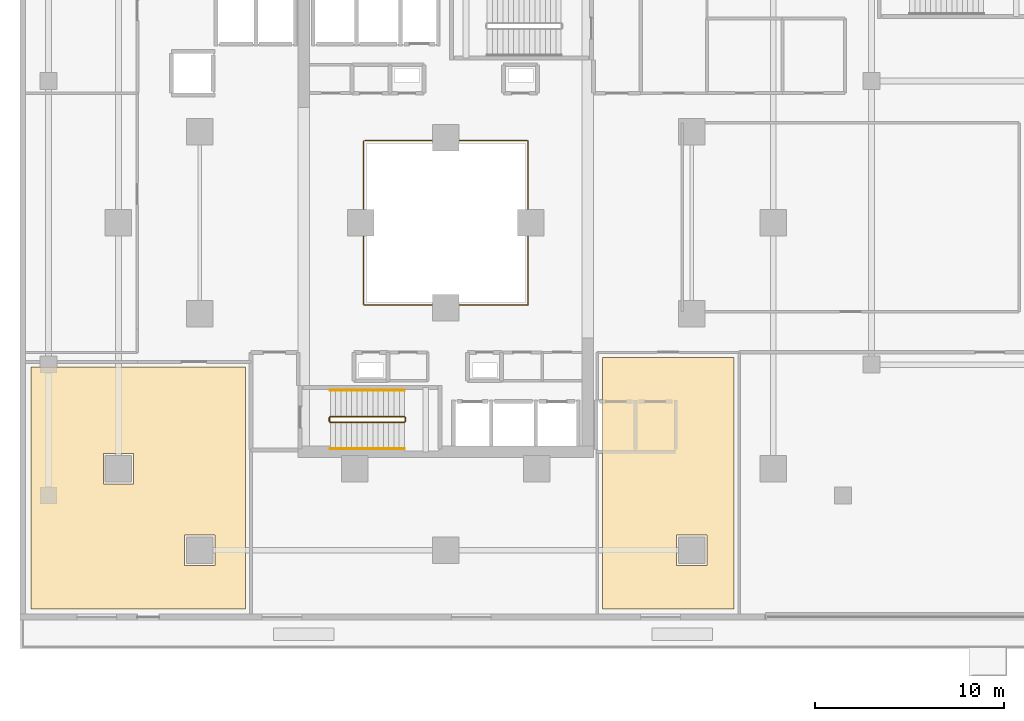
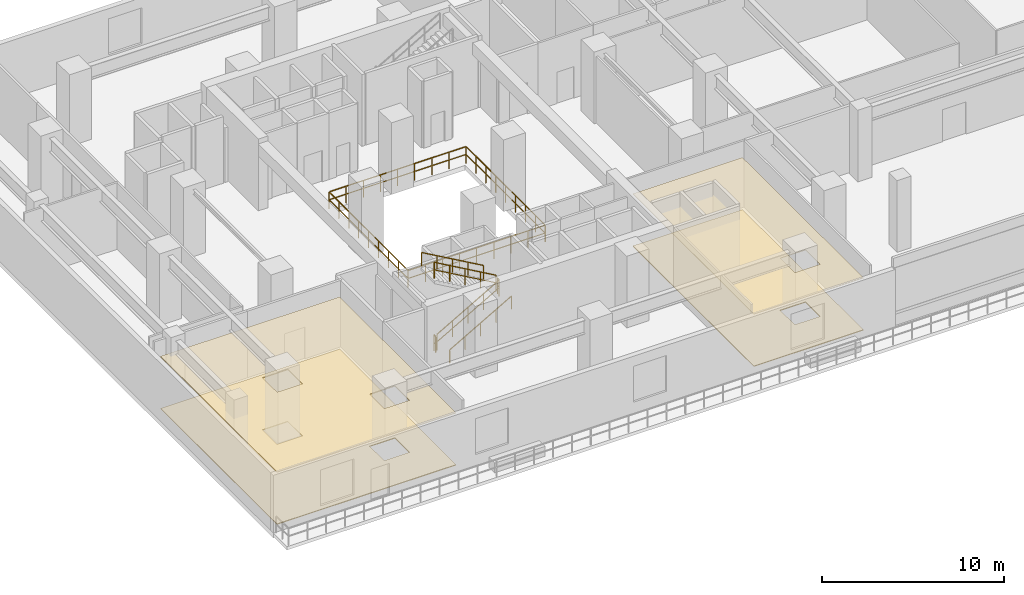
# One storey, part 18 of 22: 7 railings, 4 coverings.
"""IFC4 building model written with IfcOpenShell, lengths in metres."""

from ifc_helpers import new_model, si_unit, direction, frame, origin, origin_2d, place, context, subcontext, project, spatial, polyline, rectangle, outline, extrude, material, layer, layer_set, type_object, element, save


model = new_model("IFC4")

# Units and contexts
model_context = context("Model", 3, precision=1e-05, world=origin(), true_north=direction((0.0, 1.0)))
body_context = subcontext(model_context, "Body", "Model", "MODEL_VIEW")
ifc_project = project(units=[si_unit("LENGTHUNIT", "METRE"), si_unit("AREAUNIT", "SQUARE_METRE"), si_unit("VOLUMEUNIT", "CUBIC_METRE"), si_unit("PLANEANGLEUNIT", "RADIAN"), si_unit("MASSUNIT", "GRAM", prefix="KILO")], contexts=[model_context])

# Site, building, storey
site_placement = place(None, origin())
site = spatial("IfcSite", under=ifc_project, at=site_placement, CompositionType="ELEMENT")
building_placement = place(site_placement, origin())
building = spatial("IfcBuilding", under=site, at=building_placement, Name="Thornwick Lancets Civic Towers", CompositionType="ELEMENT")
storey_placement = place(building_placement, frame((0.0, 0.0, 4.800048828125)))
storey = spatial("IfcBuildingStorey", under=building, at=storey_placement, Name="L01", CompositionType="ELEMENT", Elevation=4.800048828125)

# Coverings
ifc_material_1 = material(Name="Perforated mineral acoustic ceiling tile")
ifc_layer_1 = layer(ifc_material_1, 0.0400390625, Name="Perforated mineral acoustic ceiling tile")
ifc_layer_set_1 = layer_set([ifc_layer_1], Name="Perforated mineral acoustic ceiling tile")
covering_type_1 = type_object("IfcCoveringType", Name="COV_CEIL_ACOUSTIC", PredefinedType="CEILING", material=ifc_layer_set_1)
covering_1_placement = place(storey_placement, frame((0.0, 0.0, 3.498291015625)))
element("IfcCovering", 1, at=covering_1_placement, inside=storey, type_object=covering_type_1, Name="Public Debating Gallery Reception Ceiling", PredefinedType="CEILING", context=body_context, shape_type="SweptSolid", body=[
    extrude(outline(polyline([(40.719970703125, 6.60009765625), (33.780029296875, 6.60009765625), (33.780029296875, 19.8701171875), (40.719970703125, 19.8701171875), (40.719970703125, 6.60009765625)]), holes=[polyline([(37.699951171875, 8.89990234375), (39.300048828125, 8.89990234375), (39.300048828125, 10.5), (37.699951171875, 10.5), (37.699951171875, 8.89990234375)])]), origin(), (0.0, 0.0, 1.0), 0.0400390625),
])
ifc_material_2 = material(Name="Slatted European oak acoustic ceiling")
ifc_layer_2 = layer(ifc_material_2, 0.06005859375, Name="Slatted European oak acoustic ceiling")
ifc_layer_set_2 = layer_set([ifc_layer_2], Name="Slatted European oak acoustic ceiling")
covering_type_2 = type_object("IfcCoveringType", Name="COV_CEIL_TIMBER", PredefinedType="CEILING", material=ifc_layer_set_2)
covering_2_placement = place(storey_placement, frame((0.0, 0.0, 3.478271484375)))
element("IfcCovering", 2, at=covering_2_placement, inside=storey, type_object=covering_type_2, Name="Standing Committee Room 1 Ceiling", PredefinedType="CEILING", context=body_context, shape_type="SweptSolid", body=[
    extrude(outline(polyline([(14.919921875, 6.60009765625), (3.580078125, 6.60009765625), (3.580078125, 19.3701171875), (14.919921875, 19.3701171875), (14.919921875, 6.60009765625)]), holes=[polyline([(11.699951171875, 8.89990234375), (13.300048828125, 8.89990234375), (13.300048828125, 10.5), (11.699951171875, 10.5), (11.699951171875, 8.89990234375)]), polyline([(7.39990234375, 13.199951171875), (9.0, 13.199951171875), (9.0, 14.800048828125), (7.39990234375, 14.800048828125), (7.39990234375, 13.199951171875)])]), origin(), (0.0, 0.0, 1.0), 0.06005859375),
])
ifc_material_3 = material(Name="Calcium-sulfate raised access floor panel")
ifc_layer_3 = layer(ifc_material_3, 0.050048828125, Name="Calcium-sulfate raised access floor panel")
ifc_layer_set_3 = layer_set([ifc_layer_3], Name="Calcium-sulfate raised access floor panel")
covering_type_3 = type_object("IfcCoveringType", Name="COV_FLOOR_RAISED", PredefinedType="FLOORING", material=ifc_layer_set_3)
covering_3_placement = place(storey_placement, origin())
element("IfcCovering", 3, at=covering_3_placement, inside=storey, type_object=covering_type_3, Name="Standing Committee Room 1 Raised Access Flooring", PredefinedType="FLOORING", context=body_context, shape_type="SweptSolid", body=[
    extrude(outline(polyline([(14.919921875, 6.60009765625), (3.580078125, 6.60009765625), (3.580078125, 19.3701171875), (14.919921875, 19.3701171875), (14.919921875, 6.60009765625)]), holes=[polyline([(11.699951171875, 8.89990234375), (13.300048828125, 8.89990234375), (13.300048828125, 10.5), (11.699951171875, 10.5), (11.699951171875, 8.89990234375)]), polyline([(7.39990234375, 13.199951171875), (9.0, 13.199951171875), (9.0, 14.800048828125), (7.39990234375, 14.800048828125), (7.39990234375, 13.199951171875)])]), origin(), (0.0, 0.0, 1.0), 0.050048828125),
])
covering_4_placement = place(storey_placement, origin())
element("IfcCovering", 4, at=covering_4_placement, inside=storey, type_object=covering_type_3, Name="Public Debating Gallery Reception Raised Access Flooring", PredefinedType="FLOORING", context=body_context, shape_type="SweptSolid", body=[
    extrude(outline(polyline([(40.719970703125, 6.60009765625), (33.780029296875, 6.60009765625), (33.780029296875, 19.8701171875), (40.719970703125, 19.8701171875), (40.719970703125, 6.60009765625)]), holes=[polyline([(37.699951171875, 8.89990234375), (39.300048828125, 8.89990234375), (39.300048828125, 10.5), (37.699951171875, 10.5), (37.699951171875, 8.89990234375)])]), origin(), (0.0, 0.0, 1.0), 0.050048828125),
])

# Railings
ifc_material_4 = material(Name="Laminated glass and bronze steel S355", Category="steel")
railing_type_1 = type_object("IfcRailingType", Name="RAIL_ATRIUM_GUARD", PredefinedType="BALUSTRADE", material=ifc_material_4)
railing_1_placement = place(storey_placement, frame((21.159912109375, 22.659912109375, 0.0)))
element("IfcRailing", 5, at=railing_1_placement, inside=storey, type_object=railing_type_1, Name="L01 Tower A Central Atrium Guard Balustrade", PredefinedType="BALUSTRADE", context=body_context, shape_type="SweptSolid", body=[
    extrude(rectangle(XDim=0.048095703125, YDim=0.048095703125, at=origin_2d()), frame((0.0, 0.0, 1.1259765625), z_axis=(1.0, 0.0, 0.0), x_axis=(0.0, 1.0, 0.0)), (0.0, 0.0, 1.0), 8.64892578125),
    extrude(rectangle(XDim=0.0419921875, YDim=0.0419921875, at=origin_2d()), frame((0.03759765625, 0.0, 0.597900390625), z_axis=(1.0, 0.0, 0.0), x_axis=(0.0, 1.0, 0.0)), (0.0, 0.0, 1.0), 1.010009765625),
    extrude(rectangle(XDim=0.0419921875, YDim=0.0419921875, at=origin_2d()), frame((1.12255859375, 0.0, 0.597900390625), z_axis=(1.0, 0.0, 0.0), x_axis=(0.0, 1.0, 0.0)), (0.0, 0.0, 1.0), 1.010009765625),
    extrude(rectangle(XDim=0.0419921875, YDim=0.0419921875, at=origin_2d()), frame((2.20751953125, 0.0, 0.597900390625), z_axis=(1.0, 0.0, 0.0), x_axis=(0.0, 1.0, 0.0)), (0.0, 0.0, 1.0), 1.010009765625),
    extrude(rectangle(XDim=0.0419921875, YDim=0.0419921875, at=origin_2d()), frame((3.29248046875, 0.0, 0.597900390625), z_axis=(1.0, 0.0, 0.0), x_axis=(0.0, 1.0, 0.0)), (0.0, 0.0, 1.0), 1.010009765625),
    extrude(rectangle(XDim=0.0419921875, YDim=0.0419921875, at=origin_2d()), frame((4.377685546875, 0.0, 0.597900390625), z_axis=(1.0, 0.0, 0.0), x_axis=(0.0, 1.0, 0.0)), (0.0, 0.0, 1.0), 1.010009765625),
    extrude(rectangle(XDim=0.0419921875, YDim=0.0419921875, at=origin_2d()), frame((5.462646484375, 0.0, 0.597900390625), z_axis=(1.0, 0.0, 0.0), x_axis=(0.0, 1.0, 0.0)), (0.0, 0.0, 1.0), 1.010009765625),
    extrude(rectangle(XDim=0.0419921875, YDim=0.0419921875, at=origin_2d()), frame((6.547607421875, 0.0, 0.597900390625), z_axis=(1.0, 0.0, 0.0), x_axis=(0.0, 1.0, 0.0)), (0.0, 0.0, 1.0), 1.010009765625),
    extrude(rectangle(XDim=0.0419921875, YDim=0.0419921875, at=origin_2d()), frame((7.632568359375, 0.0, 0.597900390625), z_axis=(1.0, 0.0, 0.0), x_axis=(0.0, 1.0, 0.0)), (0.0, 0.0, 1.0), 1.010009765625),
    extrude(rectangle(XDim=0.048095703125, YDim=0.048095703125, at=origin_2d()), frame((8.68017578125, 0.03125, 1.1259765625), z_axis=(0.0, 1.0, 0.0), x_axis=(-1.0, 0.0, 0.0)), (0.0, 0.0, 1.0), 8.61767578125),
    extrude(rectangle(XDim=0.0419921875, YDim=0.0419921875, at=origin_2d()), frame((8.68017578125, 0.03759765625, 0.597900390625), z_axis=(0.0, 1.0, 0.0), x_axis=(-1.0, 0.0, 0.0)), (0.0, 0.0, 1.0), 1.010009765625),
    extrude(rectangle(XDim=0.0419921875, YDim=0.0419921875, at=origin_2d()), frame((8.68017578125, 1.12255859375, 0.597900390625), z_axis=(0.0, 1.0, 0.0), x_axis=(-1.0, 0.0, 0.0)), (0.0, 0.0, 1.0), 1.010009765625),
    extrude(rectangle(XDim=0.0419921875, YDim=0.0419921875, at=origin_2d()), frame((8.68017578125, 2.20751953125, 0.597900390625), z_axis=(0.0, 1.0, 0.0), x_axis=(-1.0, 0.0, 0.0)), (0.0, 0.0, 1.0), 1.010009765625),
    extrude(rectangle(XDim=0.0419921875, YDim=0.0419921875, at=origin_2d()), frame((8.68017578125, 3.29248046875, 0.597900390625), z_axis=(0.0, 1.0, 0.0), x_axis=(-1.0, 0.0, 0.0)), (0.0, 0.0, 1.0), 1.010009765625),
    extrude(rectangle(XDim=0.0419921875, YDim=0.0419921875, at=origin_2d()), frame((8.68017578125, 4.377685546875, 0.597900390625), z_axis=(0.0, 1.0, 0.0), x_axis=(-1.0, 0.0, 0.0)), (0.0, 0.0, 1.0), 1.010009765625),
    extrude(rectangle(XDim=0.0419921875, YDim=0.0419921875, at=origin_2d()), frame((8.68017578125, 5.462646484375, 0.597900390625), z_axis=(0.0, 1.0, 0.0), x_axis=(-1.0, 0.0, 0.0)), (0.0, 0.0, 1.0), 1.010009765625),
    extrude(rectangle(XDim=0.0419921875, YDim=0.0419921875, at=origin_2d()), frame((8.68017578125, 6.547607421875, 0.597900390625), z_axis=(0.0, 1.0, 0.0), x_axis=(-1.0, 0.0, 0.0)), (0.0, 0.0, 1.0), 1.010009765625),
    extrude(rectangle(XDim=0.0419921875, YDim=0.0419921875, at=origin_2d()), frame((8.68017578125, 7.632568359375, 0.597900390625), z_axis=(0.0, 1.0, 0.0), x_axis=(-1.0, 0.0, 0.0)), (0.0, 0.0, 1.0), 1.010009765625),
    extrude(rectangle(XDim=0.048095703125, YDim=0.048095703125, at=origin_2d()), frame((8.64892578125, 8.68017578125, 1.1259765625), z_axis=(-1.0, 0.0, 0.0), x_axis=(0.0, -1.0, 0.0)), (0.0, 0.0, 1.0), 8.61767578125),
    extrude(rectangle(XDim=0.0419921875, YDim=0.0419921875, at=origin_2d()), frame((8.642578125, 8.68017578125, 0.597900390625), z_axis=(-1.0, 0.0, 0.0), x_axis=(0.0, -1.0, 0.0)), (0.0, 0.0, 1.0), 1.010009765625),
    extrude(rectangle(XDim=0.0419921875, YDim=0.0419921875, at=origin_2d()), frame((7.5576171875, 8.68017578125, 0.597900390625), z_axis=(-1.0, 0.0, 0.0), x_axis=(0.0, -1.0, 0.0)), (0.0, 0.0, 1.0), 1.010009765625),
    extrude(rectangle(XDim=0.0419921875, YDim=0.0419921875, at=origin_2d()), frame((6.47265625, 8.68017578125, 0.597900390625), z_axis=(-1.0, 0.0, 0.0), x_axis=(0.0, -1.0, 0.0)), (0.0, 0.0, 1.0), 1.010009765625),
    extrude(rectangle(XDim=0.0419921875, YDim=0.0419921875, at=origin_2d()), frame((5.3876953125, 8.68017578125, 0.597900390625), z_axis=(-1.0, 0.0, 0.0), x_axis=(0.0, -1.0, 0.0)), (0.0, 0.0, 1.0), 1.010009765625),
    extrude(rectangle(XDim=0.0419921875, YDim=0.0419921875, at=origin_2d()), frame((4.302490234375, 8.68017578125, 0.597900390625), z_axis=(-1.0, 0.0, 0.0), x_axis=(0.0, -1.0, 0.0)), (0.0, 0.0, 1.0), 1.010009765625),
    extrude(rectangle(XDim=0.0419921875, YDim=0.0419921875, at=origin_2d()), frame((3.217529296875, 8.68017578125, 0.597900390625), z_axis=(-1.0, 0.0, 0.0), x_axis=(0.0, -1.0, 0.0)), (0.0, 0.0, 1.0), 1.010009765625),
    extrude(rectangle(XDim=0.0419921875, YDim=0.0419921875, at=origin_2d()), frame((2.132568359375, 8.68017578125, 0.597900390625), z_axis=(-1.0, 0.0, 0.0), x_axis=(0.0, -1.0, 0.0)), (0.0, 0.0, 1.0), 1.010009765625),
    extrude(rectangle(XDim=0.0419921875, YDim=0.0419921875, at=origin_2d()), frame((1.047607421875, 8.68017578125, 0.597900390625), z_axis=(-1.0, 0.0, 0.0), x_axis=(0.0, -1.0, 0.0)), (0.0, 0.0, 1.0), 1.010009765625),
    extrude(rectangle(XDim=0.048095703125, YDim=0.048095703125, at=origin_2d()), frame((0.0, 8.64892578125, 1.1259765625), z_axis=(0.0, -1.0, 0.0), x_axis=(1.0, 0.0, 0.0)), (0.0, 0.0, 1.0), 8.64892578125),
    extrude(rectangle(XDim=0.0419921875, YDim=0.0419921875, at=origin_2d()), frame((0.0, 8.642578125, 0.597900390625), z_axis=(0.0, -1.0, 0.0), x_axis=(1.0, 0.0, 0.0)), (0.0, 0.0, 1.0), 1.010009765625),
    extrude(rectangle(XDim=0.0419921875, YDim=0.0419921875, at=origin_2d()), frame((0.0, 7.5576171875, 0.597900390625), z_axis=(0.0, -1.0, 0.0), x_axis=(1.0, 0.0, 0.0)), (0.0, 0.0, 1.0), 1.010009765625),
    extrude(rectangle(XDim=0.0419921875, YDim=0.0419921875, at=origin_2d()), frame((0.0, 6.47265625, 0.597900390625), z_axis=(0.0, -1.0, 0.0), x_axis=(1.0, 0.0, 0.0)), (0.0, 0.0, 1.0), 1.010009765625),
    extrude(rectangle(XDim=0.0419921875, YDim=0.0419921875, at=origin_2d()), frame((0.0, 5.3876953125, 0.597900390625), z_axis=(0.0, -1.0, 0.0), x_axis=(1.0, 0.0, 0.0)), (0.0, 0.0, 1.0), 1.010009765625),
    extrude(rectangle(XDim=0.0419921875, YDim=0.0419921875, at=origin_2d()), frame((0.0, 4.302490234375, 0.597900390625), z_axis=(0.0, -1.0, 0.0), x_axis=(1.0, 0.0, 0.0)), (0.0, 0.0, 1.0), 1.010009765625),
    extrude(rectangle(XDim=0.0419921875, YDim=0.0419921875, at=origin_2d()), frame((0.0, 3.217529296875, 0.597900390625), z_axis=(0.0, -1.0, 0.0), x_axis=(1.0, 0.0, 0.0)), (0.0, 0.0, 1.0), 1.010009765625),
    extrude(rectangle(XDim=0.0419921875, YDim=0.0419921875, at=origin_2d()), frame((0.0, 2.132568359375, 0.597900390625), z_axis=(0.0, -1.0, 0.0), x_axis=(1.0, 0.0, 0.0)), (0.0, 0.0, 1.0), 1.010009765625),
    extrude(rectangle(XDim=0.0419921875, YDim=0.0419921875, at=origin_2d()), frame((0.0, 1.047607421875, 0.597900390625), z_axis=(0.0, -1.0, 0.0), x_axis=(1.0, 0.0, 0.0)), (0.0, 0.0, 1.0), 1.010009765625),
    extrude(rectangle(XDim=0.0419921875, YDim=0.0419921875, at=origin_2d()), origin(), (0.0, 0.0, 1.0), 1.095703125),
    extrude(rectangle(XDim=0.0419921875, YDim=0.0419921875, at=origin_2d()), frame((1.0849609375, 0.0, 0.0)), (0.0, 0.0, 1.0), 1.095703125),
    extrude(rectangle(XDim=0.0419921875, YDim=0.0419921875, at=origin_2d()), frame((2.169921875, 0.0, 0.0)), (0.0, 0.0, 1.0), 1.095703125),
    extrude(rectangle(XDim=0.0419921875, YDim=0.0419921875, at=origin_2d()), frame((3.255126953125, 0.0, 0.0)), (0.0, 0.0, 1.0), 1.095703125),
    extrude(rectangle(XDim=0.0419921875, YDim=0.0419921875, at=origin_2d()), frame((4.340087890625, 0.0, 0.0)), (0.0, 0.0, 1.0), 1.095703125),
    extrude(rectangle(XDim=0.0419921875, YDim=0.0419921875, at=origin_2d()), frame((5.425048828125, 0.0, 0.0)), (0.0, 0.0, 1.0), 1.095703125),
    extrude(rectangle(XDim=0.0419921875, YDim=0.0419921875, at=origin_2d()), frame((6.51025390625, 0.0, 0.0)), (0.0, 0.0, 1.0), 1.095703125),
    extrude(rectangle(XDim=0.0419921875, YDim=0.0419921875, at=origin_2d()), frame((7.59521484375, 0.0, 0.0)), (0.0, 0.0, 1.0), 1.095703125),
    extrude(rectangle(XDim=0.0419921875, YDim=0.0419921875, at=origin_2d()), frame((8.68017578125, 0.0, 0.0)), (0.0, 0.0, 1.0), 1.095703125),
    extrude(rectangle(XDim=0.0419921875, YDim=0.0419921875, at=origin_2d()), frame((8.68017578125, 1.0849609375, 0.0)), (0.0, 0.0, 1.0), 1.095703125),
    extrude(rectangle(XDim=0.0419921875, YDim=0.0419921875, at=origin_2d()), frame((8.68017578125, 2.169921875, 0.0)), (0.0, 0.0, 1.0), 1.095703125),
    extrude(rectangle(XDim=0.0419921875, YDim=0.0419921875, at=origin_2d()), frame((8.68017578125, 3.255126953125, 0.0)), (0.0, 0.0, 1.0), 1.095703125),
    extrude(rectangle(XDim=0.0419921875, YDim=0.0419921875, at=origin_2d()), frame((8.68017578125, 4.340087890625, 0.0)), (0.0, 0.0, 1.0), 1.095703125),
    extrude(rectangle(XDim=0.0419921875, YDim=0.0419921875, at=origin_2d()), frame((8.68017578125, 5.425048828125, 0.0)), (0.0, 0.0, 1.0), 1.095703125),
    extrude(rectangle(XDim=0.0419921875, YDim=0.0419921875, at=origin_2d()), frame((8.68017578125, 6.51025390625, 0.0)), (0.0, 0.0, 1.0), 1.095703125),
    extrude(rectangle(XDim=0.0419921875, YDim=0.0419921875, at=origin_2d()), frame((8.68017578125, 7.59521484375, 0.0)), (0.0, 0.0, 1.0), 1.095703125),
    extrude(rectangle(XDim=0.0419921875, YDim=0.0419921875, at=origin_2d()), frame((8.68017578125, 8.68017578125, 0.0)), (0.0, 0.0, 1.0), 1.095703125),
    extrude(rectangle(XDim=0.0419921875, YDim=0.0419921875, at=origin_2d()), frame((7.59521484375, 8.68017578125, 0.0)), (0.0, 0.0, 1.0), 1.095703125),
    extrude(rectangle(XDim=0.0419921875, YDim=0.0419921875, at=origin_2d()), frame((6.51025390625, 8.68017578125, 0.0)), (0.0, 0.0, 1.0), 1.095703125),
    extrude(rectangle(XDim=0.0419921875, YDim=0.0419921875, at=origin_2d()), frame((5.425048828125, 8.68017578125, 0.0)), (0.0, 0.0, 1.0), 1.095703125),
    extrude(rectangle(XDim=0.0419921875, YDim=0.0419921875, at=origin_2d()), frame((4.340087890625, 8.68017578125, 0.0)), (0.0, 0.0, 1.0), 1.095703125),
    extrude(rectangle(XDim=0.0419921875, YDim=0.0419921875, at=origin_2d()), frame((3.255126953125, 8.68017578125, 0.0)), (0.0, 0.0, 1.0), 1.095703125),
    extrude(rectangle(XDim=0.0419921875, YDim=0.0419921875, at=origin_2d()), frame((2.169921875, 8.68017578125, 0.0)), (0.0, 0.0, 1.0), 1.095703125),
    extrude(rectangle(XDim=0.0419921875, YDim=0.0419921875, at=origin_2d()), frame((1.0849609375, 8.68017578125, 0.0)), (0.0, 0.0, 1.0), 1.095703125),
    extrude(rectangle(XDim=0.0419921875, YDim=0.0419921875, at=origin_2d()), frame((0.0, 8.68017578125, 0.0)), (0.0, 0.0, 1.0), 1.095703125),
    extrude(rectangle(XDim=0.0419921875, YDim=0.0419921875, at=origin_2d()), frame((0.0, 7.59521484375, 0.0)), (0.0, 0.0, 1.0), 1.095703125),
    extrude(rectangle(XDim=0.0419921875, YDim=0.0419921875, at=origin_2d()), frame((0.0, 6.51025390625, 0.0)), (0.0, 0.0, 1.0), 1.095703125),
    extrude(rectangle(XDim=0.0419921875, YDim=0.0419921875, at=origin_2d()), frame((0.0, 5.425048828125, 0.0)), (0.0, 0.0, 1.0), 1.095703125),
    extrude(rectangle(XDim=0.0419921875, YDim=0.0419921875, at=origin_2d()), frame((0.0, 4.340087890625, 0.0)), (0.0, 0.0, 1.0), 1.095703125),
    extrude(rectangle(XDim=0.0419921875, YDim=0.0419921875, at=origin_2d()), frame((0.0, 3.255126953125, 0.0)), (0.0, 0.0, 1.0), 1.095703125),
    extrude(rectangle(XDim=0.0419921875, YDim=0.0419921875, at=origin_2d()), frame((0.0, 2.169921875, 0.0)), (0.0, 0.0, 1.0), 1.095703125),
    extrude(rectangle(XDim=0.0419921875, YDim=0.0419921875, at=origin_2d()), frame((0.0, 1.0849609375, 0.0)), (0.0, 0.0, 1.0), 1.095703125),
])
ifc_material_5 = material(Name="Brushed stainless steel S355", Category="steel")
railing_type_2 = type_object("IfcRailingType", Name="RAIL_HANDRAIL", PredefinedType="HANDRAIL", material=ifc_material_5)
railing_2_placement = place(storey_placement, frame((19.39990234375, 15.050048828125, 0.159912109375)))
element("IfcRailing", 6, at=railing_2_placement, inside=storey, type_object=railing_type_2, Name="L01 ST-A1 stair handrail 1", PredefinedType="HANDRAIL", context=body_context, shape_type="SweptSolid", body=[
    extrude(rectangle(XDim=0.048095703125, YDim=0.048095703125, at=origin_2d()), frame((0.0, 0.0, 0.8857421875), z_axis=(0.86825312469, 0.0, 0.496121468458), x_axis=(0.0, 1.0, 0.0)), (0.0, 0.0, 1.0), 4.514892578125),
    extrude(rectangle(XDim=0.0419921875, YDim=0.0419921875, at=origin_2d()), origin(), (0.0, 0.0, 1.0), 0.855712890625),
    extrude(rectangle(XDim=0.0419921875, YDim=0.0419921875, at=origin_2d()), frame((0.97998046875, 0.0, 0.56005859375)), (0.0, 0.0, 1.0), 0.855712890625),
    extrude(rectangle(XDim=0.0419921875, YDim=0.0419921875, at=origin_2d()), frame((1.9599609375, 0.0, 1.1201171875)), (0.0, 0.0, 1.0), 0.855712890625),
    extrude(rectangle(XDim=0.0419921875, YDim=0.0419921875, at=origin_2d()), frame((2.940185546875, 0.0, 1.679931640625)), (0.0, 0.0, 1.0), 0.855712890625),
    extrude(rectangle(XDim=0.0419921875, YDim=0.0419921875, at=origin_2d()), frame((3.920166015625, 0.0, 2.239990234375)), (0.0, 0.0, 1.0), 0.855712890625),
])
railing_3_placement = place(storey_placement, frame((23.320068359375, 18.14990234375, 2.56005859375)))
element("IfcRailing", 7, at=railing_3_placement, inside=storey, type_object=railing_type_2, Name="L01 ST-A1 stair handrail 2", PredefinedType="HANDRAIL", context=body_context, shape_type="SweptSolid", body=[
    extrude(rectangle(XDim=0.048095703125, YDim=0.048095703125, at=origin_2d()), frame((0.0, 0.0, 0.8857421875), z_axis=(-0.86825312469, 0.0, 0.496121468458), x_axis=(0.0, -1.0, 0.0)), (0.0, 0.0, 1.0), 4.514892578125),
    extrude(rectangle(XDim=0.0419921875, YDim=0.0419921875, at=origin_2d()), origin(), (0.0, 0.0, 1.0), 0.855712890625),
    extrude(rectangle(XDim=0.0419921875, YDim=0.0419921875, at=origin_2d()), frame((-0.97998046875, 0.0, 0.56005859375)), (0.0, 0.0, 1.0), 0.855712890625),
    extrude(rectangle(XDim=0.0419921875, YDim=0.0419921875, at=origin_2d()), frame((-1.9599609375, 0.0, 1.1201171875)), (0.0, 0.0, 1.0), 0.855712890625),
    extrude(rectangle(XDim=0.0419921875, YDim=0.0419921875, at=origin_2d()), frame((-2.940185546875, 0.0, 1.679931640625)), (0.0, 0.0, 1.0), 0.855712890625),
    extrude(rectangle(XDim=0.0419921875, YDim=0.0419921875, at=origin_2d()), frame((-3.920166015625, 0.0, 2.239990234375)), (0.0, 0.0, 1.0), 0.855712890625),
])
ifc_material_6 = material(Name="Steel S355JR", Category="steel")
railing_type_3 = type_object("IfcRailingType", Name="RAIL_STAIR_GUARD", PredefinedType="GUARDRAIL", material=ifc_material_6)
railing_4_placement = place(storey_placement, frame((19.39990234375, 16.449951171875, 0.159912109375)))
element("IfcRailing", 8, at=railing_4_placement, inside=storey, type_object=railing_type_3, Name="L01 ST-A1 stair guard 1", PredefinedType="GUARDRAIL", context=body_context, shape_type="SweptSolid", body=[
    extrude(rectangle(XDim=0.048095703125, YDim=0.048095703125, at=origin_2d()), frame((0.0, 0.0, 1.076171875), z_axis=(0.86825312469, 0.0, 0.496121468458), x_axis=(0.0, 1.0, 0.0)), (0.0, 0.0, 1.0), 4.514892578125),
    extrude(rectangle(XDim=0.0419921875, YDim=0.0419921875, at=origin_2d()), frame((0.032470703125, 0.0, 0.590576171875), z_axis=(0.86825312469, 0.0, 0.496121468458), x_axis=(0.0, 1.0, 0.0)), (0.0, 0.0, 1.0), 1.0537109375),
    extrude(rectangle(XDim=0.0419921875, YDim=0.0419921875, at=origin_2d()), frame((1.0126953125, 0.0, 1.150634765625), z_axis=(0.86825312469, 0.0, 0.496121468458), x_axis=(0.0, 1.0, 0.0)), (0.0, 0.0, 1.0), 1.0537109375),
    extrude(rectangle(XDim=0.0419921875, YDim=0.0419921875, at=origin_2d()), frame((1.99267578125, 0.0, 1.710693359375), z_axis=(0.86825312469, 0.0, 0.496121468458), x_axis=(0.0, 1.0, 0.0)), (0.0, 0.0, 1.0), 1.0537109375),
    extrude(rectangle(XDim=0.0419921875, YDim=0.0419921875, at=origin_2d()), frame((2.97265625, 0.0, 2.270751953125), z_axis=(0.86825312469, 0.0, 0.496121468458), x_axis=(0.0, 1.0, 0.0)), (0.0, 0.0, 1.0), 1.0537109375),
    extrude(rectangle(XDim=0.0419921875, YDim=0.0419921875, at=origin_2d()), origin(), (0.0, 0.0, 1.0), 1.0458984375),
    extrude(rectangle(XDim=0.0419921875, YDim=0.0419921875, at=origin_2d()), frame((0.97998046875, 0.0, 0.56005859375)), (0.0, 0.0, 1.0), 1.0458984375),
    extrude(rectangle(XDim=0.0419921875, YDim=0.0419921875, at=origin_2d()), frame((1.9599609375, 0.0, 1.1201171875)), (0.0, 0.0, 1.0), 1.0458984375),
    extrude(rectangle(XDim=0.0419921875, YDim=0.0419921875, at=origin_2d()), frame((2.940185546875, 0.0, 1.679931640625)), (0.0, 0.0, 1.0), 1.0458984375),
    extrude(rectangle(XDim=0.0419921875, YDim=0.0419921875, at=origin_2d()), frame((3.920166015625, 0.0, 2.239990234375)), (0.0, 0.0, 1.0), 1.0458984375),
])
railing_5_placement = place(storey_placement, frame((23.3701171875, 16.5, 2.39990234375)))
element("IfcRailing", 9, at=railing_5_placement, inside=storey, type_object=railing_type_3, Name="L01 ST-A1 stair guard 2", PredefinedType="GUARDRAIL", context=body_context, shape_type="SweptSolid", body=[
    extrude(rectangle(XDim=0.048095703125, YDim=0.048095703125, at=origin_2d()), frame((0.0, 0.0, 1.076171875), z_axis=(0.0, 1.0, 0.0), x_axis=(-1.0, 0.0, 0.0)), (0.0, 0.0, 1.0), 0.199951171875),
    extrude(rectangle(XDim=0.0419921875, YDim=0.0419921875, at=origin_2d()), frame((0.0, 0.03759765625, 0.572021484375), z_axis=(0.0, 1.0, 0.0), x_axis=(-1.0, 0.0, 0.0)), (0.0, 0.0, 1.0), 0.125),
    extrude(rectangle(XDim=0.0419921875, YDim=0.0419921875, at=origin_2d()), origin(), (0.0, 0.0, 1.0), 1.0458984375),
    extrude(rectangle(XDim=0.0419921875, YDim=0.0419921875, at=origin_2d()), frame((0.0, 0.199951171875, 0.0)), (0.0, 0.0, 1.0), 1.0458984375),
])
railing_6_placement = place(storey_placement, frame((23.320068359375, 16.75, 2.56005859375)))
element("IfcRailing", 10, at=railing_6_placement, inside=storey, type_object=railing_type_3, Name="L01 ST-A1 stair guard 3", PredefinedType="GUARDRAIL", context=body_context, shape_type="SweptSolid", body=[
    extrude(rectangle(XDim=0.048095703125, YDim=0.048095703125, at=origin_2d()), frame((0.0, 0.0, 1.076171875), z_axis=(-0.86825312469, 0.0, 0.496121468458), x_axis=(0.0, -1.0, 0.0)), (0.0, 0.0, 1.0), 4.514892578125),
    extrude(rectangle(XDim=0.0419921875, YDim=0.0419921875, at=origin_2d()), frame((-0.032470703125, 0.0, 0.590576171875), z_axis=(-0.86825312469, 0.0, 0.496121468458), x_axis=(0.0, -1.0, 0.0)), (0.0, 0.0, 1.0), 1.0537109375),
    extrude(rectangle(XDim=0.0419921875, YDim=0.0419921875, at=origin_2d()), frame((-1.0126953125, 0.0, 1.150634765625), z_axis=(-0.86825312469, 0.0, 0.496121468458), x_axis=(0.0, -1.0, 0.0)), (0.0, 0.0, 1.0), 1.0537109375),
    extrude(rectangle(XDim=0.0419921875, YDim=0.0419921875, at=origin_2d()), frame((-1.99267578125, 0.0, 1.710693359375), z_axis=(-0.86825312469, 0.0, 0.496121468458), x_axis=(0.0, -1.0, 0.0)), (0.0, 0.0, 1.0), 1.0537109375),
    extrude(rectangle(XDim=0.0419921875, YDim=0.0419921875, at=origin_2d()), frame((-2.97265625, 0.0, 2.270751953125), z_axis=(-0.86825312469, 0.0, 0.496121468458), x_axis=(0.0, -1.0, 0.0)), (0.0, 0.0, 1.0), 1.0537109375),
    extrude(rectangle(XDim=0.0419921875, YDim=0.0419921875, at=origin_2d()), origin(), (0.0, 0.0, 1.0), 1.0458984375),
    extrude(rectangle(XDim=0.0419921875, YDim=0.0419921875, at=origin_2d()), frame((-0.97998046875, 0.0, 0.56005859375)), (0.0, 0.0, 1.0), 1.0458984375),
    extrude(rectangle(XDim=0.0419921875, YDim=0.0419921875, at=origin_2d()), frame((-1.9599609375, 0.0, 1.1201171875)), (0.0, 0.0, 1.0), 1.0458984375),
    extrude(rectangle(XDim=0.0419921875, YDim=0.0419921875, at=origin_2d()), frame((-2.940185546875, 0.0, 1.679931640625)), (0.0, 0.0, 1.0), 1.0458984375),
    extrude(rectangle(XDim=0.0419921875, YDim=0.0419921875, at=origin_2d()), frame((-3.920166015625, 0.0, 2.239990234375)), (0.0, 0.0, 1.0), 1.0458984375),
])
railing_7_placement = place(storey_placement, frame((19.35009765625, 16.5, 0.0)))
element("IfcRailing", 11, at=railing_7_placement, inside=storey, type_object=railing_type_3, Name="L01 ST-A1 stair guard 4", PredefinedType="GUARDRAIL", context=body_context, shape_type="SweptSolid", body=[
    extrude(rectangle(XDim=0.048095703125, YDim=0.048095703125, at=origin_2d()), frame((0.0, 0.0, 1.076171875), z_axis=(0.0, 1.0, 0.0), x_axis=(-1.0, 0.0, 0.0)), (0.0, 0.0, 1.0), 0.199951171875),
    extrude(rectangle(XDim=0.0419921875, YDim=0.0419921875, at=origin_2d()), frame((0.0, 0.03759765625, 0.572021484375), z_axis=(0.0, 1.0, 0.0), x_axis=(-1.0, 0.0, 0.0)), (0.0, 0.0, 1.0), 0.125),
    extrude(rectangle(XDim=0.0419921875, YDim=0.0419921875, at=origin_2d()), origin(), (0.0, 0.0, 1.0), 1.0458984375),
    extrude(rectangle(XDim=0.0419921875, YDim=0.0419921875, at=origin_2d()), frame((0.0, 0.199951171875, 0.0)), (0.0, 0.0, 1.0), 1.0458984375),
])

save(model, "model.ifc")
